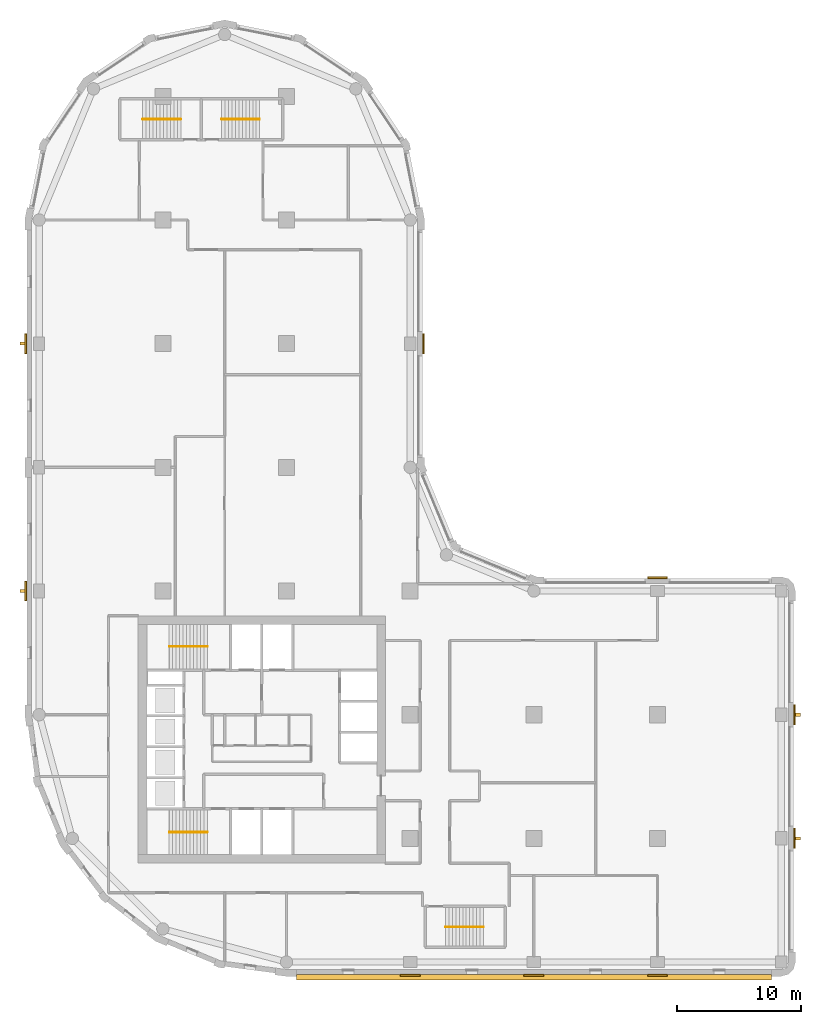
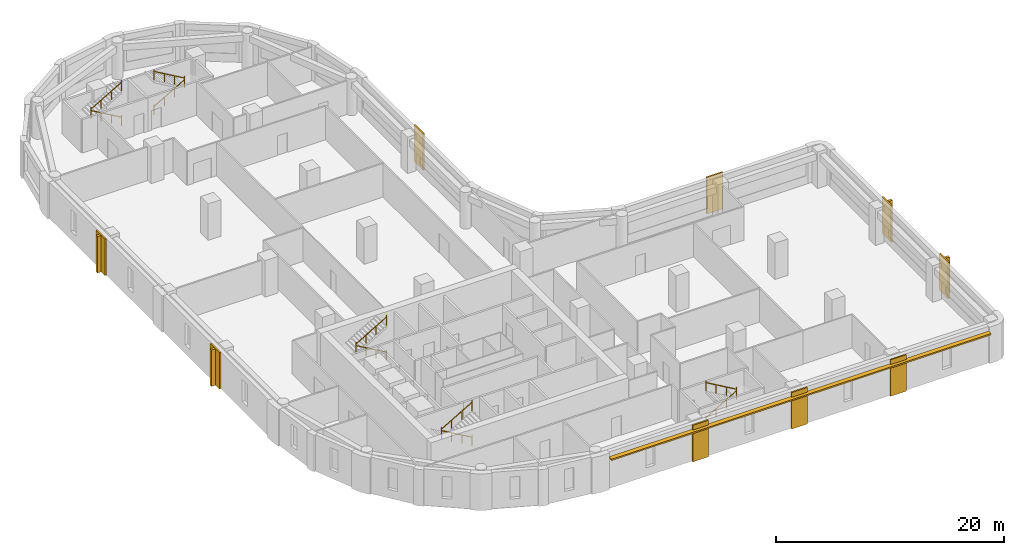
# One storey, part 8 of 9: 10 railings, 9 coverings, 5 shading devices.
"""IFC4 building model written with IfcOpenShell, lengths in metres."""

from ifc_helpers import new_model, si_unit, direction, frame, origin, origin_2d, place, context, subcontext, project, spatial, polyline, rectangle, circle, outline, extrude, material, layer, layer_set, type_object, element, save


model = new_model("IFC4")

# Units and contexts
model_context = context("Model", 3, precision=1e-05, world=origin(), true_north=direction((0.0, 1.0)))
body_context = subcontext(model_context, "Body", "Model", "MODEL_VIEW")
ifc_project = project(units=[si_unit("LENGTHUNIT", "METRE"), si_unit("AREAUNIT", "SQUARE_METRE"), si_unit("VOLUMEUNIT", "CUBIC_METRE"), si_unit("PLANEANGLEUNIT", "RADIAN"), si_unit("MASSUNIT", "GRAM", prefix="KILO")], contexts=[model_context])

# Site, building, storey
site_placement = place(None, origin())
site = spatial("IfcSite", under=ifc_project, at=site_placement, CompositionType="ELEMENT")
building_placement = place(site_placement, origin())
building = spatial("IfcBuilding", under=site, at=building_placement, Name="Qaws Garden Tower", CompositionType="ELEMENT")
storey_placement = place(building_placement, frame((0.0, 0.0, 131.699951171875)))
storey = spatial("IfcBuildingStorey", under=building, at=storey_placement, Name="L31", CompositionType="ELEMENT", Elevation=131.699951171875)

# Coverings
ifc_material_1 = material(Name="Clay facing brick masonry", Category="masonry")
ifc_layer_1 = layer(ifc_material_1, 0.14990234375)
ifc_layer_set_1 = layer_set([ifc_layer_1], Name="Clay facing brick masonry")
covering_type = type_object("IfcCoveringType", Name="Brick pilaster facing 150 x 1600", PredefinedType="CLADDING", material=ifc_layer_set_1)
placement = place(storey_placement, origin())
element("IfcCovering", 1, at=placement, inside=storey, type_object=covering_type, Name="E-L31-pier-01", PredefinedType="CLADDING", context=body_context, shape_type="SweptSolid", body=[
    extrude(outline(polyline([(29.199951171875, -1.0), (30.800048828125, -1.0), (30.800048828125, -1.14990234375), (29.199951171875, -1.14990234375), (29.199951171875, -1.0)])), origin(), (0.0, 0.0, 1.0), 3.900146484375),
])
element("IfcCovering", 2, at=placement, inside=storey, type_object=covering_type, Name="E-L31-pier-02", PredefinedType="CLADDING", context=body_context, shape_type="SweptSolid", body=[
    extrude(outline(polyline([(39.199951171875, -1.0), (40.800048828125, -1.0), (40.800048828125, -1.14990234375), (39.199951171875, -1.14990234375), (39.199951171875, -1.0)])), origin(), (0.0, 0.0, 1.0), 3.900146484375),
])
element("IfcCovering", 3, at=placement, inside=storey, type_object=covering_type, Name="E-L31-pier-03", PredefinedType="CLADDING", context=body_context, shape_type="SweptSolid", body=[
    extrude(outline(polyline([(49.199951171875, -1.0), (50.800048828125, -1.0), (50.800048828125, -1.14990234375), (49.199951171875, -1.14990234375), (49.199951171875, -1.0)])), origin(), (0.0, 0.0, 1.0), 3.900146484375),
])
element("IfcCovering", 4, at=placement, inside=storey, type_object=covering_type, Name="E-L31-pier-05", PredefinedType="CLADDING", context=body_context, shape_type="SweptSolid", body=[
    extrude(outline(polyline([(61.0, 9.199951171875), (61.0, 10.800048828125), (61.14990234375, 10.800048828125), (61.14990234375, 9.199951171875), (61.0, 9.199951171875)])), origin(), (0.0, 0.0, 1.0), 3.900146484375),
])
element("IfcCovering", 5, at=placement, inside=storey, type_object=covering_type, Name="E-L31-pier-06", PredefinedType="CLADDING", context=body_context, shape_type="SweptSolid", body=[
    extrude(outline(polyline([(61.0, 19.199951171875), (61.0, 20.800048828125), (61.14990234375, 20.800048828125), (61.14990234375, 19.199951171875), (61.0, 19.199951171875)])), origin(), (0.0, 0.0, 1.0), 3.900146484375),
])
element("IfcCovering", 6, at=placement, inside=storey, type_object=covering_type, Name="E-L31-pier-08", PredefinedType="CLADDING", context=body_context, shape_type="SweptSolid", body=[
    extrude(outline(polyline([(50.800048828125, 31.0), (49.199951171875, 31.0), (49.199951171875, 31.14990234375), (50.800048828125, 31.14990234375), (50.800048828125, 31.0)])), origin(), (0.0, 0.0, 1.0), 3.900146484375),
])
element("IfcCovering", 7, at=placement, inside=storey, type_object=covering_type, Name="E-L31-pier-12", PredefinedType="CLADDING", context=body_context, shape_type="SweptSolid", body=[
    extrude(outline(polyline([(31.0, 49.199951171875), (31.0, 50.800048828125), (31.14990234375, 50.800048828125), (31.14990234375, 49.199951171875), (31.0, 49.199951171875)])), origin(), (0.0, 0.0, 1.0), 3.900146484375),
])
element("IfcCovering", 8, at=placement, inside=storey, type_object=covering_type, Name="E-L31-pier-22", PredefinedType="CLADDING", context=body_context, shape_type="SweptSolid", body=[
    extrude(outline(polyline([(-1.0, 50.800048828125), (-1.0, 49.199951171875), (-1.14990234375, 49.199951171875), (-1.14990234375, 50.800048828125), (-1.0, 50.800048828125)])), origin(), (0.0, 0.0, 1.0), 3.900146484375),
])
element("IfcCovering", 9, at=placement, inside=storey, type_object=covering_type, Name="E-L31-pier-24", PredefinedType="CLADDING", context=body_context, shape_type="SweptSolid", body=[
    extrude(outline(polyline([(-1.0, 30.800048828125), (-1.0, 29.199951171875), (-1.14990234375, 29.199951171875), (-1.14990234375, 30.800048828125), (-1.0, 30.800048828125)])), origin(), (0.0, 0.0, 1.0), 3.900146484375),
])

# Shading devices
ifc_material_2 = material(Name="Clay facing brick masonry", Category="masonry")
ifc_layer_2 = layer(ifc_material_2, 0.14990234375)
ifc_layer_set_2 = layer_set([ifc_layer_2], Name="Clay facing brick masonry")
shading_device_type_1 = type_object("IfcShadingDeviceType", Name="Brick sunshade band 450 x 150", PredefinedType="JALOUSIE", material=ifc_layer_set_2)
shading_device_placement = place(storey_placement, frame((0.0, 0.0, 3.25)))
element("IfcShadingDevice", 10, at=shading_device_placement, inside=storey, type_object=shading_device_type_1, Name="SUNSHADE 00", PredefinedType="JALOUSIE", context=body_context, shape_type="SweptSolid", body=[
    extrude(outline(polyline([(20.800048828125, -1.0), (20.800048828125, -1.449951171875), (59.199951171875, -1.449951171875), (59.199951171875, -1.0), (50.800048828125, -1.0), (50.800048828125, -1.14990234375), (49.199951171875, -1.14990234375), (49.199951171875, -1.0), (40.800048828125, -1.0), (40.800048828125, -1.14990234375), (39.199951171875, -1.14990234375), (39.199951171875, -1.0), (30.800048828125, -1.0), (30.800048828125, -1.14990234375), (29.199951171875, -1.14990234375), (29.199951171875, -1.0), (20.800048828125, -1.0)])), origin(), (0.0, 0.0, 1.0), 0.150146484375),
])
ifc_material_3 = material(Name="Clay facing brick masonry", Category="masonry")
ifc_layer_3 = layer(ifc_material_3, 0.25)
ifc_layer_set_3 = layer_set([ifc_layer_3], Name="Clay facing brick masonry")
shading_device_type_2 = type_object("IfcShadingDeviceType", Name="Brick-faced fin 250 x 400", PredefinedType="USERDEFINED", material=ifc_layer_set_3)
for number, where, z_axis, x_axis, name in (
    (11, (61.35009765625, 10.0, 0.0), (0.0, 0.0, 1.0), (0.0, 1.0, 0.0), "FIN 05"),
    (12, (61.35009765625, 20.0, 0.0), (0.0, 0.0, 1.0), (0.0, 1.0, 0.0), "FIN 06"),
    (13, (-1.35009765625, 50.0, 0.0), (0.0, 0.0, 1.0), (0.0, -1.0, 0.0), "FIN 22"),
    (14, (-1.35009765625, 30.0, 0.0), (0.0, 0.0, 1.0), (0.0, -1.0, 0.0), "FIN 24"),
):
    element("IfcShadingDevice", number, at=place(storey_placement, frame(where, z_axis=z_axis, x_axis=x_axis)), inside=storey, type_object=shading_device_type_2, Name=name, ObjectType="FIN", PredefinedType="USERDEFINED", context=body_context, shape_type="SweptSolid", body=[
        extrude(rectangle(XDim=0.25, YDim=0.39990234375, at=origin_2d()), origin(), (0.0, 0.0, 1.0), 3.89990234375),
    ])

# Railings
ifc_material_4 = material(Name="Steel S355", Category="steel")
railing_type = type_object("IfcRailingType", Name="Stair handrail 900", PredefinedType="HANDRAIL", material=ifc_material_4)
railing_1_placement = place(storey_placement, frame((13.60009765625, 10.5, 0.16259765625)))
element("IfcRailing", 15, at=railing_1_placement, inside=storey, type_object=railing_type, Name="Stair 1 handrail", PredefinedType="HANDRAIL", context=body_context, shape_type="SweptSolid", body=[
    extrude(circle(Radius=0.02392578125, at=origin_2d()), frame((0.0, 0.0, 0.8759765625), z_axis=(-0.864920483161, 0.0, 0.501908913857), x_axis=(0.0, -1.0, 0.0)), (0.0, 0.0, 1.0), 3.56103515625),
    extrude(circle(Radius=0.02099609375, at=origin_2d()), origin(), (0.0, 0.0, 1.0), 1.06201171875),
    extrude(circle(Radius=0.02099609375, at=origin_2d()), frame((-1.026611328125, 0.0, 0.595703125)), (0.0, 0.0, 1.0), 0.851806640625),
    extrude(circle(Radius=0.02099609375, at=origin_2d()), frame((-2.053466796875, 0.0, 1.191650390625)), (0.0, 0.0, 1.0), 0.851806640625),
    extrude(circle(Radius=0.02099609375, at=origin_2d()), frame((-3.080078125, 0.0, 1.787353515625)), (0.0, 0.0, 1.0), 1.06201171875),
])
railing_2_placement = place(storey_placement, frame((10.52001953125, 10.5, 2.112548828125)))
element("IfcRailing", 16, at=railing_2_placement, inside=storey, type_object=railing_type, Name="Stair 1 handrail", PredefinedType="HANDRAIL", context=body_context, shape_type="SweptSolid", body=[
    extrude(circle(Radius=0.02392578125, at=origin_2d()), frame((0.0, 0.0, 0.8759765625), z_axis=(0.864890721111, 0.0, 0.501960198159), x_axis=(0.0, 1.0, 0.0)), (0.0, 0.0, 1.0), 3.561279296875),
    extrude(circle(Radius=0.02099609375, at=origin_2d()), origin(), (0.0, 0.0, 1.0), 1.06201171875),
    extrude(circle(Radius=0.02099609375, at=origin_2d()), frame((1.026611328125, 0.0, 0.595947265625)), (0.0, 0.0, 1.0), 0.851806640625),
    extrude(circle(Radius=0.02099609375, at=origin_2d()), frame((2.053466796875, 0.0, 1.191650390625)), (0.0, 0.0, 1.0), 0.851806640625),
    extrude(circle(Radius=0.02099609375, at=origin_2d()), frame((3.080078125, 0.0, 1.78759765625)), (0.0, 0.0, 1.0), 1.06201171875),
])
railing_3_placement = place(storey_placement, frame((13.60009765625, 25.5, 0.16259765625)))
element("IfcRailing", 17, at=railing_3_placement, inside=storey, type_object=railing_type, Name="Stair 4 handrail", PredefinedType="HANDRAIL", context=body_context, shape_type="SweptSolid", body=[
    extrude(circle(Radius=0.02392578125, at=origin_2d()), frame((0.0, 0.0, 0.8759765625), z_axis=(-0.864920483161, 0.0, 0.501908913857), x_axis=(0.0, -1.0, 0.0)), (0.0, 0.0, 1.0), 3.56103515625),
    extrude(circle(Radius=0.02099609375, at=origin_2d()), origin(), (0.0, 0.0, 1.0), 1.06201171875),
    extrude(circle(Radius=0.02099609375, at=origin_2d()), frame((-1.026611328125, 0.0, 0.595703125)), (0.0, 0.0, 1.0), 0.851806640625),
    extrude(circle(Radius=0.02099609375, at=origin_2d()), frame((-2.053466796875, 0.0, 1.191650390625)), (0.0, 0.0, 1.0), 0.851806640625),
    extrude(circle(Radius=0.02099609375, at=origin_2d()), frame((-3.080078125, 0.0, 1.787353515625)), (0.0, 0.0, 1.0), 1.06201171875),
])
railing_4_placement = place(storey_placement, frame((10.52001953125, 25.5, 2.112548828125)))
element("IfcRailing", 18, at=railing_4_placement, inside=storey, type_object=railing_type, Name="Stair 4 handrail", PredefinedType="HANDRAIL", context=body_context, shape_type="SweptSolid", body=[
    extrude(circle(Radius=0.02392578125, at=origin_2d()), frame((0.0, 0.0, 0.8759765625), z_axis=(0.864890721111, 0.0, 0.501960198159), x_axis=(0.0, 1.0, 0.0)), (0.0, 0.0, 1.0), 3.561279296875),
    extrude(circle(Radius=0.02099609375, at=origin_2d()), origin(), (0.0, 0.0, 1.0), 1.06201171875),
    extrude(circle(Radius=0.02099609375, at=origin_2d()), frame((1.026611328125, 0.0, 0.595947265625)), (0.0, 0.0, 1.0), 0.851806640625),
    extrude(circle(Radius=0.02099609375, at=origin_2d()), frame((2.053466796875, 0.0, 1.191650390625)), (0.0, 0.0, 1.0), 0.851806640625),
    extrude(circle(Radius=0.02099609375, at=origin_2d()), frame((3.080078125, 0.0, 1.78759765625)), (0.0, 0.0, 1.0), 1.06201171875),
])
railing_5_placement = place(storey_placement, frame((32.85009765625, 2.85009765625, 0.16259765625)))
element("IfcRailing", 19, at=railing_5_placement, inside=storey, type_object=railing_type, Name="Stair 5 handrail", PredefinedType="HANDRAIL", context=body_context, shape_type="SweptSolid", body=[
    extrude(circle(Radius=0.02392578125, at=origin_2d()), frame((0.0, 0.0, 0.8759765625), z_axis=(0.864903211148, 0.0, 0.501938676878), x_axis=(0.0, 1.0, 0.0)), (0.0, 0.0, 1.0), 3.560791015625),
    extrude(circle(Radius=0.02099609375, at=origin_2d()), origin(), (0.0, 0.0, 1.0), 1.06201171875),
    extrude(circle(Radius=0.02099609375, at=origin_2d()), frame((1.026611328125, 0.0, 0.595703125)), (0.0, 0.0, 1.0), 0.851806640625),
    extrude(circle(Radius=0.02099609375, at=origin_2d()), frame((2.05322265625, 0.0, 1.191650390625)), (0.0, 0.0, 1.0), 0.851806640625),
    extrude(circle(Radius=0.02099609375, at=origin_2d()), frame((3.079833984375, 0.0, 1.787353515625)), (0.0, 0.0, 1.0), 1.06201171875),
])
railing_6_placement = place(storey_placement, frame((35.929931640625, 2.85009765625, 2.112548828125)))
element("IfcRailing", 20, at=railing_6_placement, inside=storey, type_object=railing_type, Name="Stair 5 handrail", PredefinedType="HANDRAIL", context=body_context, shape_type="SweptSolid", body=[
    extrude(circle(Radius=0.02392578125, at=origin_2d()), frame((0.0, 0.0, 0.8759765625), z_axis=(-0.864873446163, 0.0, 0.501989962173), x_axis=(0.0, -1.0, 0.0)), (0.0, 0.0, 1.0), 3.56103515625),
    extrude(circle(Radius=0.02099609375, at=origin_2d()), origin(), (0.0, 0.0, 1.0), 1.06201171875),
    extrude(circle(Radius=0.02099609375, at=origin_2d()), frame((-1.026611328125, 0.0, 0.595947265625)), (0.0, 0.0, 1.0), 0.851806640625),
    extrude(circle(Radius=0.02099609375, at=origin_2d()), frame((-2.05322265625, 0.0, 1.191650390625)), (0.0, 0.0, 1.0), 0.851806640625),
    extrude(circle(Radius=0.02099609375, at=origin_2d()), frame((-3.079833984375, 0.0, 1.78759765625)), (0.0, 0.0, 1.0), 1.06201171875),
])
railing_7_placement = place(storey_placement, frame((11.449951171875, 68.14990234375, 0.16259765625)))
element("IfcRailing", 21, at=railing_7_placement, inside=storey, type_object=railing_type, Name="Stair 6 handrail", PredefinedType="HANDRAIL", context=body_context, shape_type="SweptSolid", body=[
    extrude(circle(Radius=0.02392578125, at=origin_2d()), frame((0.0, 0.0, 0.8759765625), z_axis=(-0.864903211148, 0.0, 0.501938676878), x_axis=(0.0, -1.0, 0.0)), (0.0, 0.0, 1.0), 3.560791015625),
    extrude(circle(Radius=0.02099609375, at=origin_2d()), origin(), (0.0, 0.0, 1.0), 1.06201171875),
    extrude(circle(Radius=0.02099609375, at=origin_2d()), frame((-1.026611328125, 0.0, 0.595703125)), (0.0, 0.0, 1.0), 0.851806640625),
    extrude(circle(Radius=0.02099609375, at=origin_2d()), frame((-2.05322265625, 0.0, 1.191650390625)), (0.0, 0.0, 1.0), 0.851806640625),
    extrude(circle(Radius=0.02099609375, at=origin_2d()), frame((-3.079833984375, 0.0, 1.787353515625)), (0.0, 0.0, 1.0), 1.06201171875),
])
railing_8_placement = place(storey_placement, frame((8.3701171875, 68.14990234375, 2.112548828125)))
element("IfcRailing", 22, at=railing_8_placement, inside=storey, type_object=railing_type, Name="Stair 6 handrail", PredefinedType="HANDRAIL", context=body_context, shape_type="SweptSolid", body=[
    extrude(circle(Radius=0.02392578125, at=origin_2d()), frame((0.0, 0.0, 0.8759765625), z_axis=(0.864873446163, 0.0, 0.501989962173), x_axis=(0.0, 1.0, 0.0)), (0.0, 0.0, 1.0), 3.56103515625),
    extrude(circle(Radius=0.02099609375, at=origin_2d()), origin(), (0.0, 0.0, 1.0), 1.06201171875),
    extrude(circle(Radius=0.02099609375, at=origin_2d()), frame((1.026611328125, 0.0, 0.595947265625)), (0.0, 0.0, 1.0), 0.851806640625),
    extrude(circle(Radius=0.02099609375, at=origin_2d()), frame((2.05322265625, 0.0, 1.191650390625)), (0.0, 0.0, 1.0), 0.851806640625),
    extrude(circle(Radius=0.02099609375, at=origin_2d()), frame((3.079833984375, 0.0, 1.78759765625)), (0.0, 0.0, 1.0), 1.06201171875),
])
railing_9_placement = place(storey_placement, frame((14.75, 68.14990234375, 0.16259765625)))
element("IfcRailing", 23, at=railing_9_placement, inside=storey, type_object=railing_type, Name="Stair 7 handrail", PredefinedType="HANDRAIL", context=body_context, shape_type="SweptSolid", body=[
    extrude(circle(Radius=0.02392578125, at=origin_2d()), frame((0.0, 0.0, 0.8759765625), z_axis=(0.864920483161, 0.0, 0.501908913857), x_axis=(0.0, 1.0, 0.0)), (0.0, 0.0, 1.0), 3.56103515625),
    extrude(circle(Radius=0.02099609375, at=origin_2d()), origin(), (0.0, 0.0, 1.0), 1.06201171875),
    extrude(circle(Radius=0.02099609375, at=origin_2d()), frame((1.026611328125, 0.0, 0.595703125)), (0.0, 0.0, 1.0), 0.851806640625),
    extrude(circle(Radius=0.02099609375, at=origin_2d()), frame((2.053466796875, 0.0, 1.191650390625)), (0.0, 0.0, 1.0), 0.851806640625),
    extrude(circle(Radius=0.02099609375, at=origin_2d()), frame((3.080078125, 0.0, 1.787353515625)), (0.0, 0.0, 1.0), 1.06201171875),
])
railing_10_placement = place(storey_placement, frame((17.830078125, 68.14990234375, 2.112548828125)))
element("IfcRailing", 24, at=railing_10_placement, inside=storey, type_object=railing_type, Name="Stair 7 handrail", PredefinedType="HANDRAIL", context=body_context, shape_type="SweptSolid", body=[
    extrude(circle(Radius=0.02392578125, at=origin_2d()), frame((0.0, 0.0, 0.8759765625), z_axis=(-0.864890721111, 0.0, 0.501960198159), x_axis=(0.0, -1.0, 0.0)), (0.0, 0.0, 1.0), 3.561279296875),
    extrude(circle(Radius=0.02099609375, at=origin_2d()), origin(), (0.0, 0.0, 1.0), 1.06201171875),
    extrude(circle(Radius=0.02099609375, at=origin_2d()), frame((-1.026611328125, 0.0, 0.595947265625)), (0.0, 0.0, 1.0), 0.851806640625),
    extrude(circle(Radius=0.02099609375, at=origin_2d()), frame((-2.053466796875, 0.0, 1.191650390625)), (0.0, 0.0, 1.0), 0.851806640625),
    extrude(circle(Radius=0.02099609375, at=origin_2d()), frame((-3.080078125, 0.0, 1.78759765625)), (0.0, 0.0, 1.0), 1.06201171875),
])

save(model, "model.ifc")
